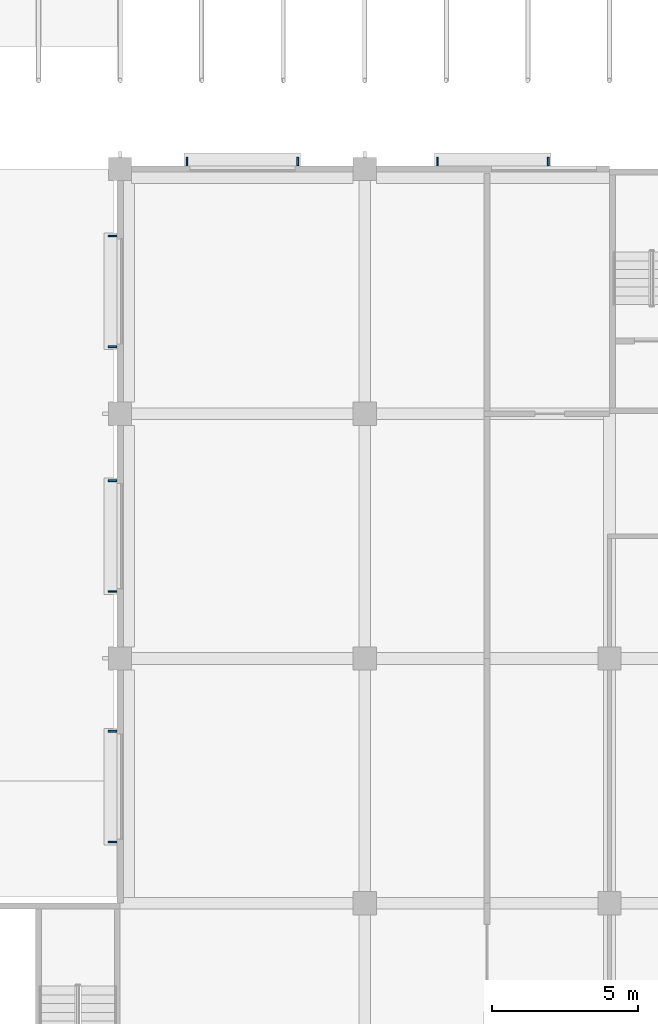
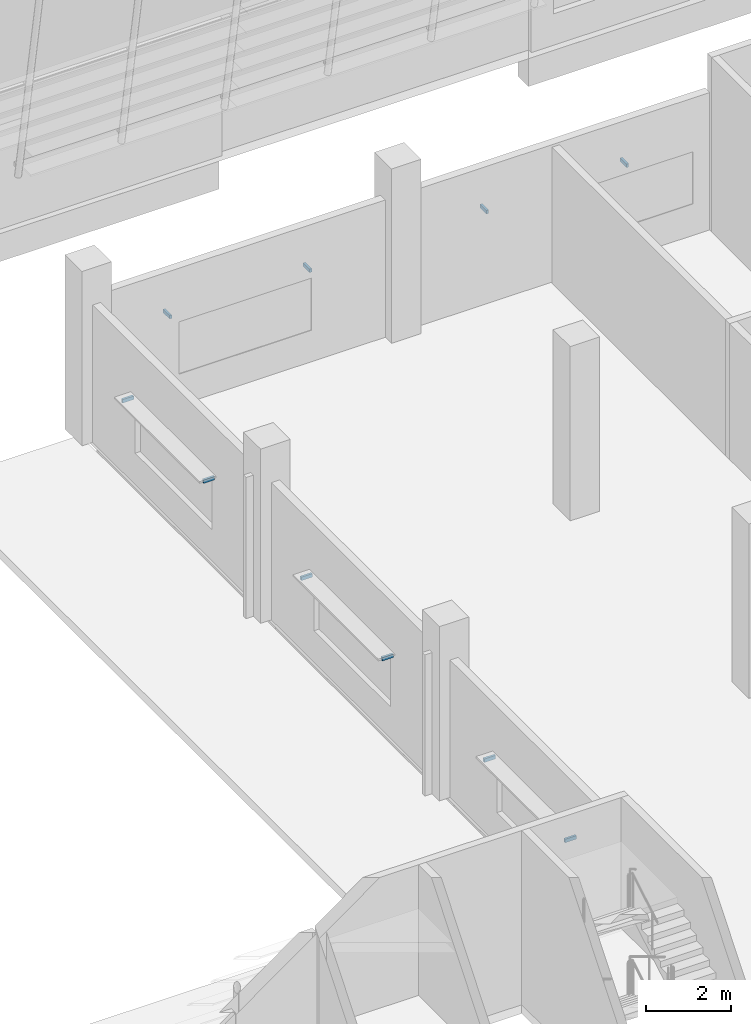
# One storey, part 55 of 101: 10 discrete accessories.
"""IFC4 building model written with IfcOpenShell, lengths in metres."""

from ifc_helpers import new_model, si_unit, direction, frame, origin, origin_2d, place, context, subcontext, project, spatial, rectangle, extrude, material, type_object, element, save


model = new_model("IFC4")

# Units and contexts
model_context = context("Model", 3, precision=1e-05, world=origin(), true_north=direction((0.0, 1.0)))
body_context = subcontext(model_context, "Body", "Model", "MODEL_VIEW")
ifc_project = project(units=[si_unit("LENGTHUNIT", "METRE"), si_unit("AREAUNIT", "SQUARE_METRE"), si_unit("VOLUMEUNIT", "CUBIC_METRE"), si_unit("PLANEANGLEUNIT", "RADIAN"), si_unit("MASSUNIT", "GRAM", prefix="KILO")], contexts=[model_context])

# Site, building, storey
site_placement = place(None, origin())
site = spatial("IfcSite", under=ifc_project, at=site_placement, CompositionType="ELEMENT")
building_placement = place(site_placement, origin())
building = spatial("IfcBuilding", under=site, at=building_placement, Name="Almond Square Museum", CompositionType="ELEMENT")
storey_placement = place(building_placement, frame((0.0, 0.0, 5.5)))
storey = spatial("IfcBuildingStorey", under=building, at=storey_placement, Name="L01", CompositionType="ELEMENT", Elevation=5.5)

# Discrete accessories
ifc_material = material(Name="Stainless steel", Category="steel")
discrete_accessory_type = type_object("IfcDiscreteAccessoryType", Name="Sun-shade blade bracket", PredefinedType="BRACKET", material=ifc_material)
for number, where, z_axis, x_axis, name in (
    (1, (142.89990234375, 42.258056640625, 2.39697265625), (0.0, 0.0, 1.0), (1.0, 0.0, 0.0), "Bracket sun-shade blade"),
    (2, (146.699951171875, 42.258056640625, 2.39697265625), (0.0, 0.0, 1.0), (1.0, 0.0, 0.0), "Bracket sun-shade blade"),
    (3, (134.300048828125, 42.258056640625, 2.39697265625), (0.0, 0.0, 1.0), (1.0, 0.0, 0.0), "Bracket sun-shade blade"),
    (4, (138.10009765625, 42.258056640625, 2.39697265625), (0.0, 0.0, 1.0), (1.0, 0.0, 0.0), "Bracket sun-shade blade"),
):
    element("IfcDiscreteAccessory", number, at=place(storey_placement, frame(where, z_axis=z_axis, x_axis=x_axis)), inside=storey, type_object=discrete_accessory_type, Name=name, PredefinedType="BRACKET", context=body_context, shape_type="SweptSolid", body=[
        extrude(rectangle(XDim=0.06005859375, YDim=0.300048828125, at=origin_2d()), origin(), (0.0, 0.0, 1.0), 0.10009765625),
    ])
for number, where, z_axis, x_axis, name in (
    (5, (131.741943359375, 35.89990234375, 2.39697265625), (0.0, 0.0, 1.0), (1.0, 0.0, 0.0), "Bracket sun-shade blade"),
    (6, (131.741943359375, 39.699951171875, 2.39697265625), (0.0, 0.0, 1.0), (1.0, 0.0, 0.0), "Bracket sun-shade blade"),
    (7, (131.741943359375, 27.5, 2.39697265625), (0.0, 0.0, 1.0), (1.0, 0.0, 0.0), "Bracket sun-shade blade"),
    (8, (131.741943359375, 31.300048828125, 2.39697265625), (0.0, 0.0, 1.0), (1.0, 0.0, 0.0), "Bracket sun-shade blade"),
    (9, (131.741943359375, 18.89990234375, 2.39697265625), (0.0, 0.0, 1.0), (1.0, 0.0, 0.0), "Bracket sun-shade blade"),
    (10, (131.741943359375, 22.699951171875, 2.39697265625), (0.0, 0.0, 1.0), (1.0, 0.0, 0.0), "Bracket sun-shade blade"),
):
    element("IfcDiscreteAccessory", number, at=place(storey_placement, frame(where, z_axis=z_axis, x_axis=x_axis)), inside=storey, type_object=discrete_accessory_type, Name=name, PredefinedType="BRACKET", context=body_context, shape_type="SweptSolid", body=[
        extrude(rectangle(XDim=0.300048828125, YDim=0.06005859375, at=origin_2d()), origin(), (0.0, 0.0, 1.0), 0.10009765625),
    ])

save(model, "model.ifc")
